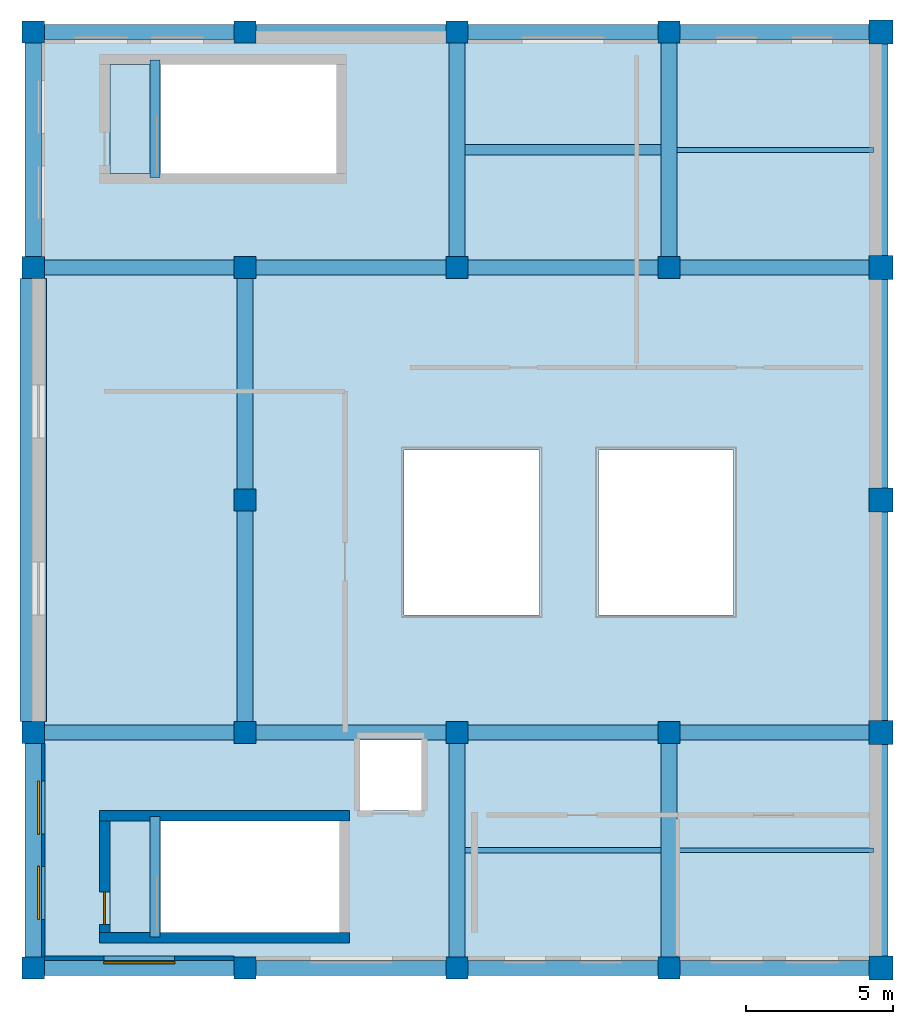
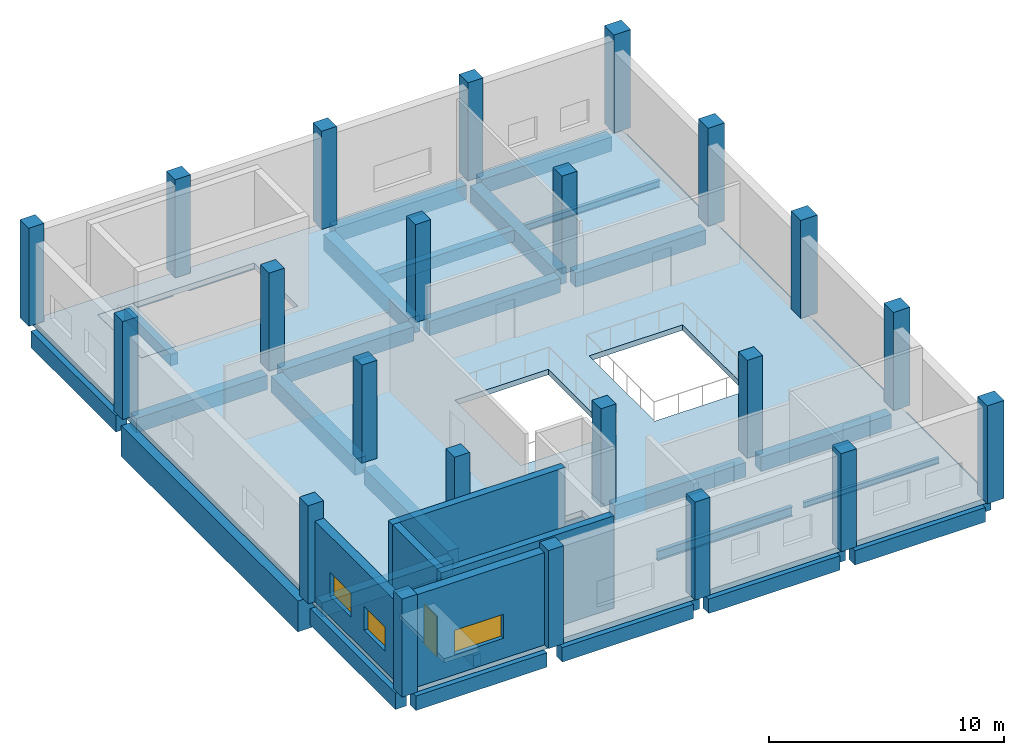
# One storey, part 1 of 4: 35 beams, 22 columns, 5 walls, 3 slabs, 3 windows, 1 door, 4 openings.
"""IFC4 building model written with IfcOpenShell, lengths in metres."""

from ifc_helpers import new_model, si_unit, direction, frame, frame_2d, origin, origin_2d, place, context, subcontext, project, spatial, polyline, rectangle, i_section, outline, extrude, material, layer, layer_set, material_profile, profile_set, type_object, element, fill, save


model = new_model("IFC4")

# Units and contexts
model_context = context("Model", 3, precision=1e-05, world=origin(), true_north=direction((0.0, 1.0)))
body_context = subcontext(model_context, "Body", "Model", "MODEL_VIEW")
ifc_project = project(units=[si_unit("LENGTHUNIT", "METRE"), si_unit("AREAUNIT", "SQUARE_METRE"), si_unit("VOLUMEUNIT", "CUBIC_METRE"), si_unit("PLANEANGLEUNIT", "RADIAN"), si_unit("MASSUNIT", "GRAM", prefix="KILO")], contexts=[model_context])

# Site, building, storey
site_placement = place(None, origin())
site = spatial("IfcSite", under=ifc_project, at=site_placement, CompositionType="ELEMENT")
building_placement = place(site_placement, origin())
building = spatial("IfcBuilding", under=site, at=building_placement, Name="Kelarvand Opera House", CompositionType="ELEMENT")
storey_placement = place(building_placement, frame((0.0, 0.0, 28.5)))
storey = spatial("IfcBuildingStorey", under=building, at=storey_placement, Name="L06", CompositionType="ELEMENT", Elevation=28.5)

# Columns
ifc_material_1 = material(Name="Concrete C40/50", Category="concrete")
ifc_material_profile_1 = material_profile(ifc_material_1, rectangle(XDim=0.75, YDim=0.75, at=origin_2d()), Name="RC 750x750", Category="concrete")
ifc_profile_set_1 = profile_set([ifc_material_profile_1], Name="Concrete C40/50")
column_type_1 = type_object("IfcColumnType", Name="Structural Column RC 750x750 (Int) COL-750", PredefinedType="COLUMN", material=ifc_profile_set_1)
for number, where, z_axis, x_axis, name in (
    (1, (59.199951171875, 46.60009765625, 0.0), (0.0, 0.0, 1.0), (1.0, 0.0, 0.0), "V2 Column COL-750 at L06"),
    (2, (59.199951171875, 54.60009765625, 0.0), (0.0, 0.0, 1.0), (1.0, 0.0, 0.0), "V2 Column COL-750 at L06"),
    (3, (59.199951171875, 70.39990234375, 0.0), (0.0, 0.0, 1.0), (1.0, 0.0, 0.0), "V2 Column COL-750 at L06"),
    (4, (59.199951171875, 78.39990234375, 0.0), (0.0, 0.0, 1.0), (1.0, 0.0, 0.0), "V2 Column COL-750 at L06"),
    (5, (66.39990234375, 46.60009765625, 0.0), (0.0, 0.0, 1.0), (1.0, 0.0, 0.0), "V2 Column COL-750 at L06"),
    (6, (66.39990234375, 54.60009765625, 0.0), (0.0, 0.0, 1.0), (1.0, 0.0, 0.0), "V2 Column COL-750 at L06"),
    (7, (66.39990234375, 62.5, 0.0), (0.0, 0.0, 1.0), (1.0, 0.0, 0.0), "V2 Column COL-750 at L06"),
    (8, (66.39990234375, 70.39990234375, 0.0), (0.0, 0.0, 1.0), (1.0, 0.0, 0.0), "V2 Column COL-750 at L06"),
    (9, (66.39990234375, 78.39990234375, 0.0), (0.0, 0.0, 1.0), (1.0, 0.0, 0.0), "V2 Column COL-750 at L06"),
    (10, (73.60009765625, 46.60009765625, 0.0), (0.0, 0.0, 1.0), (1.0, 0.0, 0.0), "V2 Column COL-750 at L06"),
    (11, (73.60009765625, 54.60009765625, 0.0), (0.0, 0.0, 1.0), (1.0, 0.0, 0.0), "V2 Column COL-750 at L06"),
    (12, (73.60009765625, 70.39990234375, 0.0), (0.0, 0.0, 1.0), (1.0, 0.0, 0.0), "V2 Column COL-750 at L06"),
    (13, (73.60009765625, 78.39990234375, 0.0), (0.0, 0.0, 1.0), (1.0, 0.0, 0.0), "V2 Column COL-750 at L06"),
    (14, (80.800048828125, 46.60009765625, 0.0), (0.0, 0.0, 1.0), (1.0, 0.0, 0.0), "V2 Column COL-750 at L06"),
    (15, (80.800048828125, 54.60009765625, 0.0), (0.0, 0.0, 1.0), (1.0, 0.0, 0.0), "V2 Column COL-750 at L06"),
    (16, (80.800048828125, 70.39990234375, 0.0), (0.0, 0.0, 1.0), (1.0, 0.0, 0.0), "V2 Column COL-750 at L06"),
    (17, (80.800048828125, 78.39990234375, 0.0), (0.0, 0.0, 1.0), (1.0, 0.0, 0.0), "V2 Column COL-750 at L06"),
):
    element("IfcColumn", number, at=place(storey_placement, frame(where, z_axis=z_axis, x_axis=x_axis)), inside=storey, type_object=column_type_1, Name=name, PredefinedType="COLUMN", context=body_context, shape_type="SweptSolid", body=[
        extrude(rectangle(XDim=0.75, YDim=0.75, at=origin_2d()), origin(), (0.0, 0.0, 1.0), 5.10009765625),
    ])
ifc_material_profile_2 = material_profile(ifc_material_1, rectangle(XDim=0.820068359375, YDim=0.820068359375, at=origin_2d()), Name="RC 820x820", Category="concrete")
ifc_profile_set_2 = profile_set([ifc_material_profile_2], Name="Concrete C40/50")
column_type_2 = type_object("IfcColumnType", Name="Structural Column RC 820x820 (Int) COL-820", PredefinedType="COLUMN", material=ifc_profile_set_2)
for number, where, z_axis, x_axis, name in (
    (18, (88.0, 46.60009765625, 0.0), (0.0, 0.0, 1.0), (1.0, 0.0, 0.0), "V2 Column COL-820 at L06"),
    (19, (88.0, 54.60009765625, 0.0), (0.0, 0.0, 1.0), (1.0, 0.0, 0.0), "V2 Column COL-820 at L06"),
    (20, (88.0, 62.5, 0.0), (0.0, 0.0, 1.0), (1.0, 0.0, 0.0), "V2 Column COL-820 at L06"),
    (21, (88.0, 70.39990234375, 0.0), (0.0, 0.0, 1.0), (1.0, 0.0, 0.0), "V2 Column COL-820 at L06"),
    (22, (88.0, 78.39990234375, 0.0), (0.0, 0.0, 1.0), (1.0, 0.0, 0.0), "V2 Column COL-820 at L06"),
):
    element("IfcColumn", number, at=place(storey_placement, frame(where, z_axis=z_axis, x_axis=x_axis)), inside=storey, type_object=column_type_2, Name=name, PredefinedType="COLUMN", context=body_context, shape_type="SweptSolid", body=[
        extrude(rectangle(XDim=0.820068359375, YDim=0.820068359375, at=origin_2d()), origin(), (0.0, 0.0, 1.0), 5.10009765625),
    ])

# Beams
ifc_material_2 = material(Name="Concrete C35/45", Category="concrete")
ifc_material_profile_3 = material_profile(ifc_material_2, rectangle(XDim=0.35009765625, YDim=0.60009765625, at=origin_2d()), Name="RC 350x600", Category="concrete")
ifc_profile_set_3 = profile_set([ifc_material_profile_3], Name="Concrete C35/45")
beam_type_1 = type_object("IfcBeamType", Name="Structural Beam RC 350x600 BM-RC350x600", PredefinedType="BEAM", material=ifc_profile_set_3)
beam_1_placement = place(storey_placement, frame((73.875, 74.39990234375, -0.580078125), z_axis=(1.0, 0.0, 0.0), x_axis=(0.0, 1.0, 0.0)))
element("IfcBeam", 23, at=beam_1_placement, inside=storey, type_object=beam_type_1, Name="V2 L06 Beam BM-RC350x600", PredefinedType="BEAM", context=body_context, shape_type="SweptSolid", body=[
    extrude(rectangle(XDim=0.35009765625, YDim=0.60009765625, at=origin_2d()), origin(), (0.0, 0.0, 1.0), 6.64990234375),
])
beam_2_placement = place(storey_placement, frame((63.340087890625, 47.64990234375, -0.52001953125), z_axis=(0.0, 1.0, 0.0), x_axis=(-1.0, 0.0, 0.0)))
element("IfcBeam", 24, at=beam_2_placement, inside=storey, type_object=beam_type_1, Name="C2 Stair Landing Support Beam L06", PredefinedType="BEAM", context=body_context, shape_type="SweptSolid", body=[
    extrude(rectangle(XDim=0.35009765625, YDim=0.60009765625, at=origin_2d()), origin(), (0.0, 0.0, 1.0), 4.10009765625),
])
beam_3_placement = place(storey_placement, frame((63.340087890625, 73.449951171875, -0.52001953125), z_axis=(0.0, 1.0, 0.0), x_axis=(-1.0, 0.0, 0.0)))
element("IfcBeam", 25, at=beam_3_placement, inside=storey, type_object=beam_type_1, Name="C3 Stair Landing Support Beam L06", PredefinedType="BEAM", context=body_context, shape_type="SweptSolid", body=[
    extrude(rectangle(XDim=0.35009765625, YDim=0.60009765625, at=origin_2d()), origin(), (0.0, 0.0, 1.0), 4.0),
])
ifc_material_profile_4 = material_profile(ifc_material_1, rectangle(XDim=0.5, YDim=0.75, at=origin_2d()), Name="RC 500x750", Category="concrete")
ifc_profile_set_4 = profile_set([ifc_material_profile_4], Name="Concrete C40/50")
beam_type_2 = type_object("IfcBeamType", Name="Structural Beam RC 500x750 BM-RC500x750", PredefinedType="BEAM", material=ifc_profile_set_4)
beam_4_placement = place(storey_placement, frame((59.574951171875, 46.60009765625, -0.655029296875), z_axis=(1.0, 0.0, 0.0), x_axis=(0.0, 1.0, 0.0)))
element("IfcBeam", 26, at=beam_4_placement, inside=storey, type_object=beam_type_2, Name="V2 L06 Beam BM-RC500x750", PredefinedType="BEAM", context=body_context, shape_type="SweptSolid", body=[
    extrude(rectangle(XDim=0.5, YDim=0.75, at=origin_2d()), origin(), (0.0, 0.0, 1.0), 6.449951171875),
])
beam_5_placement = place(storey_placement, frame((66.77490234375, 46.60009765625, -0.655029296875), z_axis=(1.0, 0.0, 0.0), x_axis=(0.0, 1.0, 0.0)))
element("IfcBeam", 27, at=beam_5_placement, inside=storey, type_object=beam_type_2, Name="V2 L06 Beam BM-RC500x750", PredefinedType="BEAM", context=body_context, shape_type="SweptSolid", body=[
    extrude(rectangle(XDim=0.5, YDim=0.75, at=origin_2d()), origin(), (0.0, 0.0, 1.0), 6.4501953125),
])
beam_6_placement = place(storey_placement, frame((73.97509765625, 46.60009765625, -0.655029296875), z_axis=(1.0, 0.0, 0.0), x_axis=(0.0, 1.0, 0.0)))
element("IfcBeam", 28, at=beam_6_placement, inside=storey, type_object=beam_type_2, Name="V2 L06 Beam BM-RC500x750", PredefinedType="BEAM", context=body_context, shape_type="SweptSolid", body=[
    extrude(rectangle(XDim=0.5, YDim=0.75, at=origin_2d()), origin(), (0.0, 0.0, 1.0), 6.449951171875),
])
beam_7_placement = place(storey_placement, frame((81.175048828125, 46.60009765625, -0.655029296875), z_axis=(1.0, 0.0, 0.0), x_axis=(0.0, 1.0, 0.0)))
element("IfcBeam", 29, at=beam_7_placement, inside=storey, type_object=beam_type_2, Name="V2 L06 Beam BM-RC500x750", PredefinedType="BEAM", context=body_context, shape_type="SweptSolid", body=[
    extrude(rectangle(XDim=0.5, YDim=0.75, at=origin_2d()), origin(), (0.0, 0.0, 1.0), 6.4150390625),
])
beam_8_placement = place(storey_placement, frame((59.574951171875, 54.60009765625, -0.655029296875), z_axis=(1.0, 0.0, 0.0), x_axis=(0.0, 1.0, 0.0)))
element("IfcBeam", 30, at=beam_8_placement, inside=storey, type_object=beam_type_2, Name="V2 L06 Beam BM-RC500x750", PredefinedType="BEAM", context=body_context, shape_type="SweptSolid", body=[
    extrude(rectangle(XDim=0.5, YDim=0.75, at=origin_2d()), origin(), (0.0, 0.0, 1.0), 6.449951171875),
])
beam_9_placement = place(storey_placement, frame((66.77490234375, 54.60009765625, -0.655029296875), z_axis=(1.0, 0.0, 0.0), x_axis=(0.0, 1.0, 0.0)))
element("IfcBeam", 31, at=beam_9_placement, inside=storey, type_object=beam_type_2, Name="V2 L06 Beam BM-RC500x750", PredefinedType="BEAM", context=body_context, shape_type="SweptSolid", body=[
    extrude(rectangle(XDim=0.5, YDim=0.75, at=origin_2d()), origin(), (0.0, 0.0, 1.0), 6.4501953125),
])
beam_10_placement = place(storey_placement, frame((73.97509765625, 54.60009765625, -0.655029296875), z_axis=(1.0, 0.0, 0.0), x_axis=(0.0, 1.0, 0.0)))
element("IfcBeam", 32, at=beam_10_placement, inside=storey, type_object=beam_type_2, Name="V2 L06 Beam BM-RC500x750", PredefinedType="BEAM", context=body_context, shape_type="SweptSolid", body=[
    extrude(rectangle(XDim=0.5, YDim=0.75, at=origin_2d()), origin(), (0.0, 0.0, 1.0), 6.449951171875),
])
beam_11_placement = place(storey_placement, frame((81.175048828125, 54.60009765625, -0.655029296875), z_axis=(1.0, 0.0, 0.0), x_axis=(0.0, 1.0, 0.0)))
element("IfcBeam", 33, at=beam_11_placement, inside=storey, type_object=beam_type_2, Name="V2 L06 Beam BM-RC500x750", PredefinedType="BEAM", context=body_context, shape_type="SweptSolid", body=[
    extrude(rectangle(XDim=0.5, YDim=0.75, at=origin_2d()), origin(), (0.0, 0.0, 1.0), 6.4150390625),
])
beam_12_placement = place(storey_placement, frame((59.574951171875, 70.39990234375, -0.655029296875), z_axis=(1.0, 0.0, 0.0), x_axis=(0.0, 1.0, 0.0)))
element("IfcBeam", 34, at=beam_12_placement, inside=storey, type_object=beam_type_2, Name="V2 L06 Beam BM-RC500x750", PredefinedType="BEAM", context=body_context, shape_type="SweptSolid", body=[
    extrude(rectangle(XDim=0.5, YDim=0.75, at=origin_2d()), origin(), (0.0, 0.0, 1.0), 6.449951171875),
])
beam_13_placement = place(storey_placement, frame((66.77490234375, 70.39990234375, -0.655029296875), z_axis=(1.0, 0.0, 0.0), x_axis=(0.0, 1.0, 0.0)))
element("IfcBeam", 35, at=beam_13_placement, inside=storey, type_object=beam_type_2, Name="V2 L06 Beam BM-RC500x750", PredefinedType="BEAM", context=body_context, shape_type="SweptSolid", body=[
    extrude(rectangle(XDim=0.5, YDim=0.75, at=origin_2d()), origin(), (0.0, 0.0, 1.0), 6.4501953125),
])
beam_14_placement = place(storey_placement, frame((73.97509765625, 70.39990234375, -0.655029296875), z_axis=(1.0, 0.0, 0.0), x_axis=(0.0, 1.0, 0.0)))
element("IfcBeam", 36, at=beam_14_placement, inside=storey, type_object=beam_type_2, Name="V2 L06 Beam BM-RC500x750", PredefinedType="BEAM", context=body_context, shape_type="SweptSolid", body=[
    extrude(rectangle(XDim=0.5, YDim=0.75, at=origin_2d()), origin(), (0.0, 0.0, 1.0), 6.449951171875),
])
beam_15_placement = place(storey_placement, frame((81.175048828125, 70.39990234375, -0.655029296875), z_axis=(1.0, 0.0, 0.0), x_axis=(0.0, 1.0, 0.0)))
element("IfcBeam", 37, at=beam_15_placement, inside=storey, type_object=beam_type_2, Name="V2 L06 Beam BM-RC500x750", PredefinedType="BEAM", context=body_context, shape_type="SweptSolid", body=[
    extrude(rectangle(XDim=0.5, YDim=0.75, at=origin_2d()), origin(), (0.0, 0.0, 1.0), 6.4150390625),
])
beam_16_placement = place(storey_placement, frame((59.574951171875, 78.39990234375, -0.655029296875), z_axis=(1.0, 0.0, 0.0), x_axis=(0.0, 1.0, 0.0)))
element("IfcBeam", 38, at=beam_16_placement, inside=storey, type_object=beam_type_2, Name="V2 L06 Beam BM-RC500x750", PredefinedType="BEAM", context=body_context, shape_type="SweptSolid", body=[
    extrude(rectangle(XDim=0.5, YDim=0.75, at=origin_2d()), origin(), (0.0, 0.0, 1.0), 6.449951171875),
])
beam_17_placement = place(storey_placement, frame((66.77490234375, 78.39990234375, -0.655029296875), z_axis=(1.0, 0.0, 0.0), x_axis=(0.0, 1.0, 0.0)))
element("IfcBeam", 39, at=beam_17_placement, inside=storey, type_object=beam_type_2, Name="V2 L06 Beam BM-RC500x750", PredefinedType="BEAM", context=body_context, shape_type="SweptSolid", body=[
    extrude(rectangle(XDim=0.5, YDim=0.75, at=origin_2d()), origin(), (0.0, 0.0, 1.0), 6.4501953125),
])
beam_18_placement = place(storey_placement, frame((73.97509765625, 78.39990234375, -0.655029296875), z_axis=(1.0, 0.0, 0.0), x_axis=(0.0, 1.0, 0.0)))
element("IfcBeam", 40, at=beam_18_placement, inside=storey, type_object=beam_type_2, Name="V2 L06 Beam BM-RC500x750", PredefinedType="BEAM", context=body_context, shape_type="SweptSolid", body=[
    extrude(rectangle(XDim=0.5, YDim=0.75, at=origin_2d()), origin(), (0.0, 0.0, 1.0), 6.449951171875),
])
beam_19_placement = place(storey_placement, frame((81.175048828125, 78.39990234375, -0.655029296875), z_axis=(1.0, 0.0, 0.0), x_axis=(0.0, 1.0, 0.0)))
element("IfcBeam", 41, at=beam_19_placement, inside=storey, type_object=beam_type_2, Name="V2 L06 Beam BM-RC500x750", PredefinedType="BEAM", context=body_context, shape_type="SweptSolid", body=[
    extrude(rectangle(XDim=0.5, YDim=0.75, at=origin_2d()), origin(), (0.0, 0.0, 1.0), 6.4150390625),
])
ifc_material_profile_5 = material_profile(ifc_material_1, rectangle(XDim=0.550048828125, YDim=0.85009765625, at=origin_2d()), Name="RC 550x850", Category="concrete")
ifc_profile_set_5 = profile_set([ifc_material_profile_5], Name="Concrete C40/50")
beam_type_3 = type_object("IfcBeamType", Name="Structural Beam RC 550x850 BM-RC550x850", PredefinedType="BEAM", material=ifc_profile_set_5)
for number, where, z_axis, x_axis, name in (
    (42, (59.199951171875, 46.97509765625, -0.705078125), (0.0, 1.0, 0.0), (-1.0, 0.0, 0.0), "V2 L06 Beam BM-RC550x850"),
    (43, (59.199951171875, 70.77490234375, -0.705078125), (0.0, 1.0, 0.0), (-1.0, 0.0, 0.0), "V2 L06 Beam BM-RC550x850"),
):
    element("IfcBeam", number, at=place(storey_placement, frame(where, z_axis=z_axis, x_axis=x_axis)), inside=storey, type_object=beam_type_3, Name=name, PredefinedType="BEAM", context=body_context, shape_type="SweptSolid", body=[
        extrude(rectangle(XDim=0.550048828125, YDim=0.85009765625, at=origin_2d()), origin(), (0.0, 0.0, 1.0), 7.25),
    ])
for number, where, z_axis, x_axis, name in (
    (44, (66.39990234375, 54.97509765625, -0.705078125), (0.0, 1.0, 0.0), (-1.0, 0.0, 0.0), "V2 L06 Beam BM-RC550x850"),
    (45, (66.39990234375, 62.875, -0.705078125), (0.0, 1.0, 0.0), (-1.0, 0.0, 0.0), "V2 L06 Beam BM-RC550x850"),
):
    element("IfcBeam", number, at=place(storey_placement, frame(where, z_axis=z_axis, x_axis=x_axis)), inside=storey, type_object=beam_type_3, Name=name, PredefinedType="BEAM", context=body_context, shape_type="SweptSolid", body=[
        extrude(rectangle(XDim=0.550048828125, YDim=0.85009765625, at=origin_2d()), origin(), (0.0, 0.0, 1.0), 7.14990234375),
    ])
for number, where, z_axis, x_axis, name in (
    (46, (73.60009765625, 46.97509765625, -0.705078125), (0.0, 1.0, 0.0), (-1.0, 0.0, 0.0), "V2 L06 Beam BM-RC550x850"),
    (47, (73.60009765625, 70.77490234375, -0.705078125), (0.0, 1.0, 0.0), (-1.0, 0.0, 0.0), "V2 L06 Beam BM-RC550x850"),
    (48, (80.800048828125, 46.97509765625, -0.705078125), (0.0, 1.0, 0.0), (-1.0, 0.0, 0.0), "V2 L06 Beam BM-RC550x850"),
    (49, (80.800048828125, 70.77490234375, -0.705078125), (0.0, 1.0, 0.0), (-1.0, 0.0, 0.0), "V2 L06 Beam BM-RC550x850"),
):
    element("IfcBeam", number, at=place(storey_placement, frame(where, z_axis=z_axis, x_axis=x_axis)), inside=storey, type_object=beam_type_3, Name=name, PredefinedType="BEAM", context=body_context, shape_type="SweptSolid", body=[
        extrude(rectangle(XDim=0.550048828125, YDim=0.85009765625, at=origin_2d()), origin(), (0.0, 0.0, 1.0), 7.25),
    ])
ifc_material_profile_6 = material_profile(ifc_material_1, rectangle(XDim=0.89990234375, YDim=1.60009765625, at=origin_2d()), Name="RC 900x1600", Category="concrete")
ifc_profile_set_6 = profile_set([ifc_material_profile_6], Name="Concrete C40/50")
beam_type_4 = type_object("IfcBeamType", Name="Structural Beam RC 900x1600 BM-RC900x1600", PredefinedType="BEAM", material=ifc_profile_set_6)
beam_20_placement = place(storey_placement, frame((59.199951171875, 54.97509765625, -1.080078125), z_axis=(0.0, 1.0, 0.0), x_axis=(-1.0, 0.0, 0.0)))
element("IfcBeam", 50, at=beam_20_placement, inside=storey, type_object=beam_type_4, Name="V2 L06 Beam BM-RC900x1600", PredefinedType="BEAM", context=body_context, shape_type="SweptSolid", body=[
    extrude(rectangle(XDim=0.89990234375, YDim=1.60009765625, at=origin_2d()), origin(), (0.0, 0.0, 1.0), 15.0498046875),
])
ifc_material_3 = material(Name="Steel S355", Category="steel")
ifc_material_profile_7 = material_profile(ifc_material_3, i_section(OverallWidth=0.14990234375, OverallDepth=0.300048828125, WebThickness=0.007080078125, FlangeThickness=0.0107421875, at=origin_2d()), Name="IPE 300", Category="steel")
ifc_profile_set_7 = profile_set([ifc_material_profile_7], Name="Steel S355")
beam_type_5 = type_object("IfcBeamType", Name="Structural Joist IPE 300 JS-IPE300", PredefinedType="JOIST", material=ifc_profile_set_7)
beam_21_placement = place(storey_placement, frame((81.074951171875, 50.60009765625, -0.429931640625), z_axis=(1.0, 0.0, 0.0), x_axis=(0.0, 1.0, 0.0)))
element("IfcBeam", 51, at=beam_21_placement, inside=storey, type_object=beam_type_5, Name="V2 L06 Beam JS-IPE300", PredefinedType="JOIST", context=body_context, shape_type="SweptSolid", body=[
    extrude(i_section(OverallWidth=0.14990234375, OverallDepth=0.300048828125, WebThickness=0.007080078125, FlangeThickness=0.0107421875, at=origin_2d()), origin(), (0.0, 0.0, 1.0), 6.675048828125),
])
ifc_material_profile_8 = material_profile(ifc_material_3, i_section(OverallWidth=0.169921875, OverallDepth=0.360107421875, WebThickness=0.008056640625, FlangeThickness=0.0126953125, at=origin_2d()), Name="IPE 360", Category="steel")
ifc_profile_set_8 = profile_set([ifc_material_profile_8], Name="Steel S355")
beam_type_6 = type_object("IfcBeamType", Name="Structural Joist IPE 360 JS-IPE360", PredefinedType="JOIST", material=ifc_profile_set_8)
beam_22_placement = place(storey_placement, frame((81.074951171875, 74.39990234375, -0.4599609375), z_axis=(1.0, 0.0, 0.0), x_axis=(0.0, 1.0, 0.0)))
element("IfcBeam", 52, at=beam_22_placement, inside=storey, type_object=beam_type_6, Name="V2 L06 Beam JS-IPE360", PredefinedType="JOIST", context=body_context, shape_type="SweptSolid", body=[
    extrude(i_section(OverallWidth=0.169921875, OverallDepth=0.360107421875, WebThickness=0.008056640625, FlangeThickness=0.0126953125, at=origin_2d()), origin(), (0.0, 0.0, 1.0), 6.675048828125),
])
ifc_material_profile_9 = material_profile(ifc_material_3, i_section(OverallWidth=0.199951171875, OverallDepth=0.5, WebThickness=0.01025390625, FlangeThickness=0.01611328125, at=origin_2d()), Name="IPE 500", Category="steel")
ifc_profile_set_9 = profile_set([ifc_material_profile_9], Name="Steel S355")
beam_type_7 = type_object("IfcBeamType", Name="Structural Joist IPE 500 JS-IPE500", PredefinedType="JOIST", material=ifc_profile_set_9)
beam_23_placement = place(storey_placement, frame((73.875, 50.60009765625, -0.530029296875), z_axis=(1.0, 0.0, 0.0), x_axis=(0.0, 1.0, 0.0)))
element("IfcBeam", 53, at=beam_23_placement, inside=storey, type_object=beam_type_7, Name="V2 L06 Beam JS-IPE500", PredefinedType="JOIST", context=body_context, shape_type="SweptSolid", body=[
    extrude(i_section(OverallWidth=0.199951171875, OverallDepth=0.5, WebThickness=0.01025390625, FlangeThickness=0.01611328125, at=origin_2d()), origin(), (0.0, 0.0, 1.0), 6.64990234375),
])
ifc_material_profile_10 = material_profile(ifc_material_1, rectangle(XDim=0.5, YDim=0.75, at=origin_2d()), Name="RC 500x750", Category="concrete")
ifc_profile_set_10 = profile_set([ifc_material_profile_10], Name="Concrete C40/50")
beam_type_8 = type_object("IfcBeamType", Name="Structural Spandrel RC 500x750 SP-RC500x750E", PredefinedType="SPANDREL", material=ifc_profile_set_10)
beam_24_placement = place(storey_placement, frame((88.0, 47.010009765625, -0.655029296875), z_axis=(0.0, 1.0, 0.0), x_axis=(-1.0, 0.0, 0.0)))
element("IfcBeam", 54, at=beam_24_placement, inside=storey, type_object=beam_type_8, Name="V2 L06 Beam SP-RC500x750E", PredefinedType="SPANDREL", context=body_context, shape_type="SweptSolid", body=[
    extrude(rectangle(XDim=0.5, YDim=0.75, at=origin_2d()), origin(), (0.0, 0.0, 1.0), 7.179931640625),
])
for number, where, z_axis, x_axis, name in (
    (55, (88.0, 55.010009765625, -0.655029296875), (0.0, 1.0, 0.0), (-1.0, 0.0, 0.0), "V2 L06 Beam SP-RC500x750E"),
    (56, (88.0, 62.909912109375, -0.655029296875), (0.0, 1.0, 0.0), (-1.0, 0.0, 0.0), "V2 L06 Beam SP-RC500x750E"),
):
    element("IfcBeam", number, at=place(storey_placement, frame(where, z_axis=z_axis, x_axis=x_axis)), inside=storey, type_object=beam_type_8, Name=name, PredefinedType="SPANDREL", context=body_context, shape_type="SweptSolid", body=[
        extrude(rectangle(XDim=0.5, YDim=0.75, at=origin_2d()), origin(), (0.0, 0.0, 1.0), 7.080078125),
    ])
beam_25_placement = place(storey_placement, frame((88.0, 70.81005859375, -0.655029296875), z_axis=(0.0, 1.0, 0.0), x_axis=(-1.0, 0.0, 0.0)))
element("IfcBeam", 57, at=beam_25_placement, inside=storey, type_object=beam_type_8, Name="V2 L06 Beam SP-RC500x750E", PredefinedType="SPANDREL", context=body_context, shape_type="SweptSolid", body=[
    extrude(rectangle(XDim=0.5, YDim=0.75, at=origin_2d()), origin(), (0.0, 0.0, 1.0), 7.179931640625),
])

# Slabs
ifc_layer_1 = layer(ifc_material_2, 0.219970703125, Name="Concrete C35/45", Category="concrete")
ifc_layer_set_1 = layer_set([ifc_layer_1], Name="Concrete C35/45")
slab_type_1 = type_object("IfcSlabType", Name="Core Stair Entry Landing Slab 220", PredefinedType="LANDING", material=ifc_layer_set_1)
slab_1_placement = place(storey_placement, frame((0.0, 0.0, -0.219970703125)))
element("IfcSlab", 58, at=slab_1_placement, inside=storey, type_object=slab_type_1, Name="C2 Stair Entry Landing L06", PredefinedType="LANDING", context=body_context, shape_type="SweptSolid", body=[
    extrude(outline(polyline([(61.800048828125, 47.800048828125), (63.52001953125, 47.800048828125), (63.52001953125, 51.60009765625), (61.800048828125, 51.60009765625), (61.800048828125, 47.800048828125)])), origin(), (0.0, 0.0, 1.0), 0.219970703125),
])
slab_2_placement = place(storey_placement, frame((0.0, 0.0, -0.219970703125)))
element("IfcSlab", 59, at=slab_2_placement, inside=storey, type_object=slab_type_1, Name="C3 Stair Entry Landing L06", PredefinedType="LANDING", context=body_context, shape_type="SweptSolid", body=[
    extrude(outline(polyline([(61.800048828125, 73.60009765625), (63.52001953125, 73.60009765625), (63.52001953125, 77.300048828125), (61.800048828125, 77.300048828125), (61.800048828125, 73.60009765625)])), origin(), (0.0, 0.0, 1.0), 0.219970703125),
])
ifc_layer_2 = layer(ifc_material_2, 0.280029296875, Name="Concrete C35/45", Category="concrete")
ifc_layer_set_2 = layer_set([ifc_layer_2], Name="Concrete C35/45")
slab_type_2 = type_object("IfcSlabType", Name="Gallery Floor Slab 280", PredefinedType="FLOOR", material=ifc_layer_set_2)
slab_3_placement = place(storey_placement, frame((0.0, 0.0, -0.280029296875)))
element("IfcSlab", 60, at=slab_3_placement, inside=storey, type_object=slab_type_2, Name="V2 L06 Structural Slab 17", PredefinedType="FLOOR", context=body_context, shape_type="SweptSolid", body=[
    extrude(outline(polyline([(88.0, 46.60009765625), (88.0, 78.39990234375), (59.199951171875, 78.39990234375), (59.199951171875, 46.60009765625), (88.0, 46.60009765625)]), holes=[polyline([(61.800048828125, 51.60009765625), (69.60009765625, 51.60009765625), (69.60009765625, 47.800048828125), (61.800048828125, 47.800048828125), (61.800048828125, 51.60009765625)]), polyline([(70.300048828125, 54.39990234375), (72.39990234375, 54.39990234375), (72.39990234375, 51.949951171875), (70.300048828125, 51.949951171875), (70.300048828125, 54.39990234375)]), polyline([(71.800048828125, 64.199951171875), (76.39990234375, 64.199951171875), (76.39990234375, 58.60009765625), (71.800048828125, 58.60009765625), (71.800048828125, 64.199951171875)]), polyline([(83.0, 64.199951171875), (83.0, 58.60009765625), (78.39990234375, 58.60009765625), (78.39990234375, 64.199951171875), (83.0, 64.199951171875)]), polyline([(69.5, 77.300048828125), (69.5, 73.60009765625), (61.800048828125, 73.60009765625), (61.800048828125, 77.300048828125), (69.5, 77.300048828125)])]), origin(), (0.0, 0.0, 1.0), 0.280029296875),
])

# Walls
ifc_layer_3 = layer(ifc_material_1, 0.35009765625, Name="Concrete C40/50", Category="concrete")
ifc_layer_set_3 = layer_set([ifc_layer_3], Name="Concrete C40/50")
wall_type_1 = type_object("IfcWallType", Name="Core Stair and Lift Shear Wall 350", PredefinedType="SHEAR", material=ifc_layer_set_3)
for number, where, z_axis, x_axis, name in (
    (61, (61.449951171875, 47.625, 0.0), (0.0, 0.0, 1.0), (1.0, 0.0, 0.0), "C2 Stair Core Shear Wall S L06"),
    (62, (69.949951171875, 51.77490234375, 0.0), (0.0, 0.0, 1.0), (-1.0, 0.0, 0.0), "C2 Stair Core Shear Wall N L06"),
):
    element("IfcWall", number, at=place(storey_placement, frame(where, z_axis=z_axis, x_axis=x_axis)), inside=storey, type_object=wall_type_1, Name=name, PredefinedType="SHEAR", context=body_context, shape_type="SweptSolid", body=[
        extrude(rectangle(XDim=8.5, YDim=0.35009765625, at=frame_2d((4.25, 0.0))), origin(), (0.0, 0.0, 1.0), 4.800048828125),
    ])

# Wall, opening, door
wall_1_placement = place(storey_placement, frame((61.625, 47.800048828125, 0.0), z_axis=(0.0, 0.0, 1.0), x_axis=(0.0, 1.0, 0.0)))
wall_1 = element("IfcWall", 63, at=wall_1_placement, inside=storey, type_object=wall_type_1, Name="C2 Stair Core Shear Wall W L06", PredefinedType="SHEAR", context=body_context, shape_type="SweptSolid", body=[
    extrude(rectangle(XDim=3.800048828125, YDim=0.35009765625, at=frame_2d((1.89990234375, 0.0))), origin(), (0.0, 0.0, 1.0), 4.800048828125),
])
opening_1_placement = place(wall_1_placement, frame((0.280029296875, 0.0, 0.0)))
opening_1 = element("IfcOpeningElement", 64, at=opening_1_placement, cuts=wall_1, Name="Opening FD-01", PredefinedType="OPENING", context=body_context, shape_type="SweptSolid", body=[
    extrude(rectangle(XDim=1.10009765625, YDim=2.080078125, at=frame_2d((0.550048828125, 1.0400390625))), frame((0.0, 0.18505859375, 0.0), z_axis=(0.0, -1.0, 0.0), x_axis=(1.0, 0.0, 0.0)), (0.0, 0.0, 1.0), 0.3701171875),
])
ifc_material_4 = material(Name="Fire-rated brushed stainless steel", Category="steel")
door_type = type_object("IfcDoorType", Name="Steel Fire-Rated Stair and FF Lobby Door 1100x2080", OperationType="NOTDEFINED", PredefinedType="DOOR", material=ifc_material_4)
door_placement = place(opening_1_placement, origin())
door = element("IfcDoor", 65, at=door_placement, inside=storey, type_object=door_type, Name="C2 Stair ST-02 Fire Door L06", OperationType="SINGLE_SWING_LEFT", OverallHeight=2.080078125, OverallWidth=1.10009765625, PredefinedType="DOOR", context=body_context, shape_type="SweptSolid", body=[
    extrude(rectangle(XDim=1.10009765625, YDim=2.080078125, at=frame_2d((0.550048828125, 1.0400390625))), frame((0.0, 0.02490234375, 0.0), z_axis=(0.0, -1.0, 0.0), x_axis=(1.0, 0.0, 0.0)), (0.0, 0.0, 1.0), 0.050048828125),
])
fill(opening_1, door)

# Wall, openings, windows
ifc_layer_4 = layer(ifc_material_2, 0.43994140625, Name="Concrete C35/45", Category="concrete")
ifc_layer_set_4 = layer_set([ifc_layer_4], Name="Concrete C35/45")
wall_type_2 = type_object("IfcWallType", Name="Stage House Acoustic Cavity Wall 440", PredefinedType="SOLIDWALL", material=ifc_layer_set_4)
wall_2_placement = place(storey_placement, frame((59.3798828125, 46.97509765625, 0.0), z_axis=(0.0, 0.0, 1.0), x_axis=(0.0, 1.0, 0.0)))
wall_2 = element("IfcWall", 66, at=wall_2_placement, inside=storey, type_object=wall_type_2, Name="V2 L06 Exterior Wall EW-440 (340)", PredefinedType="SOLIDWALL", context=body_context, shape_type="SweptSolid", body=[
    extrude(rectangle(XDim=7.25, YDim=0.43994140625, at=frame_2d((3.625, 0.0))), origin(), (0.0, 0.0, 1.0), 4.191650390625),
])
opening_2_placement = place(wall_2_placement, frame((1.27490234375, 0.0, 1.050048828125)))
opening_2 = element("IfcOpeningElement", 67, at=opening_2_placement, cuts=wall_2, Name="Opening WN-23", PredefinedType="OPENING", context=body_context, shape_type="SweptSolid", body=[
    extrude(rectangle(XDim=1.800048828125, YDim=1.25, at=frame_2d((0.89990234375, 0.625))), frame((0.0, 0.22998046875, 0.0), z_axis=(0.0, -1.0, 0.0), x_axis=(1.0, 0.0, 0.0)), (0.0, 0.0, 1.0), 0.4599609375),
])
opening_3_placement = place(wall_2_placement, frame((4.175048828125, 0.0, 1.050048828125)))
opening_3 = element("IfcOpeningElement", 68, at=opening_3_placement, cuts=wall_2, Name="Opening WN-23", PredefinedType="OPENING", context=body_context, shape_type="SweptSolid", body=[
    extrude(rectangle(XDim=1.800048828125, YDim=1.25, at=frame_2d((0.89990234375, 0.625))), frame((0.0, 0.22998046875, 0.0), z_axis=(0.0, -1.0, 0.0), x_axis=(1.0, 0.0, 0.0)), (0.0, 0.0, 1.0), 0.4599609375),
])
ifc_material_5 = material(Name="Thermally broken aluminium and low-E double glazing", Category="aluminium")
window_type_1 = type_object("IfcWindowType", Name="Recessed Aluminium Thermal Window 1800x1250 WN-23", PartitioningType="SINGLE_PANEL", PredefinedType="WINDOW", material=ifc_material_5)
window_1_placement = place(opening_2_placement, origin())
window_1 = element("IfcWindow", 69, at=window_1_placement, inside=storey, type_object=window_type_1, Name="V2 L06 Facade Window WN-23 (127)", OverallHeight=1.25, OverallWidth=1.800048828125, PartitioningType="SINGLE_PANEL", PredefinedType="WINDOW", context=body_context, shape_type="SweptSolid", body=[
    extrude(rectangle(XDim=1.800048828125, YDim=1.25, at=frame_2d((0.89990234375, 0.625))), frame((0.0, 0.030029296875, 0.0), z_axis=(0.0, -1.0, 0.0), x_axis=(1.0, 0.0, 0.0)), (0.0, 0.0, 1.0), 0.06005859375),
])
fill(opening_2, window_1)
window_2_placement = place(opening_3_placement, origin())
window_2 = element("IfcWindow", 70, at=window_2_placement, inside=storey, type_object=window_type_1, Name="V2 L06 Facade Window WN-23 (128)", OverallHeight=1.25, OverallWidth=1.800048828125, PartitioningType="SINGLE_PANEL", PredefinedType="WINDOW", context=body_context, shape_type="SweptSolid", body=[
    extrude(rectangle(XDim=1.800048828125, YDim=1.25, at=frame_2d((0.89990234375, 0.625))), frame((0.0, 0.030029296875, 0.0), z_axis=(0.0, -1.0, 0.0), x_axis=(1.0, 0.0, 0.0)), (0.0, 0.0, 1.0), 0.06005859375),
])
fill(opening_3, window_2)

# Wall, opening, window
wall_3_placement = place(storey_placement, frame((66.02490234375, 46.780029296875, 0.0), z_axis=(0.0, 0.0, 1.0), x_axis=(-1.0, 0.0, 0.0)))
wall_3 = element("IfcWall", 71, at=wall_3_placement, inside=storey, type_object=wall_type_2, Name="V2 L06 Exterior Wall EW-440 (346)", PredefinedType="SOLIDWALL", context=body_context, shape_type="SweptSolid", body=[
    extrude(rectangle(XDim=6.449951171875, YDim=0.43994140625, at=frame_2d((3.22509765625, 0.0))), origin(), (0.0, 0.0, 1.0), 4.800048828125),
])
opening_4_placement = place(wall_3_placement, frame((2.02490234375, 0.0, 1.050048828125)))
opening_4 = element("IfcOpeningElement", 72, at=opening_4_placement, cuts=wall_3, Name="Opening WN-22", PredefinedType="OPENING", context=body_context, shape_type="SweptSolid", body=[
    extrude(rectangle(XDim=2.39990234375, YDim=1.25, at=frame_2d((1.199951171875, 0.625))), frame((0.0, 0.22998046875, 0.0), z_axis=(0.0, -1.0, 0.0), x_axis=(1.0, 0.0, 0.0)), (0.0, 0.0, 1.0), 0.4599609375),
])
window_type_2 = type_object("IfcWindowType", Name="Recessed Aluminium Thermal Window 2400x1250 WN-22", PartitioningType="SINGLE_PANEL", PredefinedType="WINDOW", material=ifc_material_5)
window_3_placement = place(opening_4_placement, origin())
window_3 = element("IfcWindow", 73, at=window_3_placement, inside=storey, type_object=window_type_2, Name="V2 L06 Facade Window WN-22 (138)", OverallHeight=1.25, OverallWidth=2.39990234375, PartitioningType="SINGLE_PANEL", PredefinedType="WINDOW", context=body_context, shape_type="SweptSolid", body=[
    extrude(rectangle(XDim=2.39990234375, YDim=1.25, at=frame_2d((1.199951171875, 0.625))), frame((0.0, 0.030029296875, 0.0), z_axis=(0.0, -1.0, 0.0), x_axis=(1.0, 0.0, 0.0)), (0.0, 0.0, 1.0), 0.06005859375),
])
fill(opening_4, window_3)

save(model, "model.ifc")
